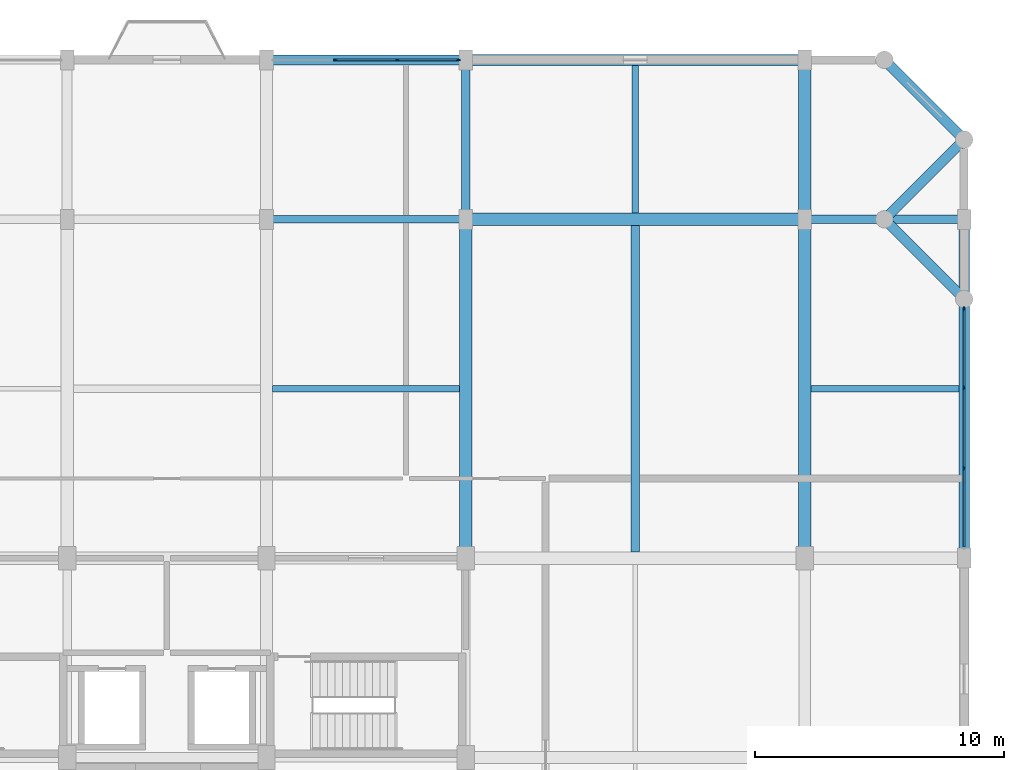
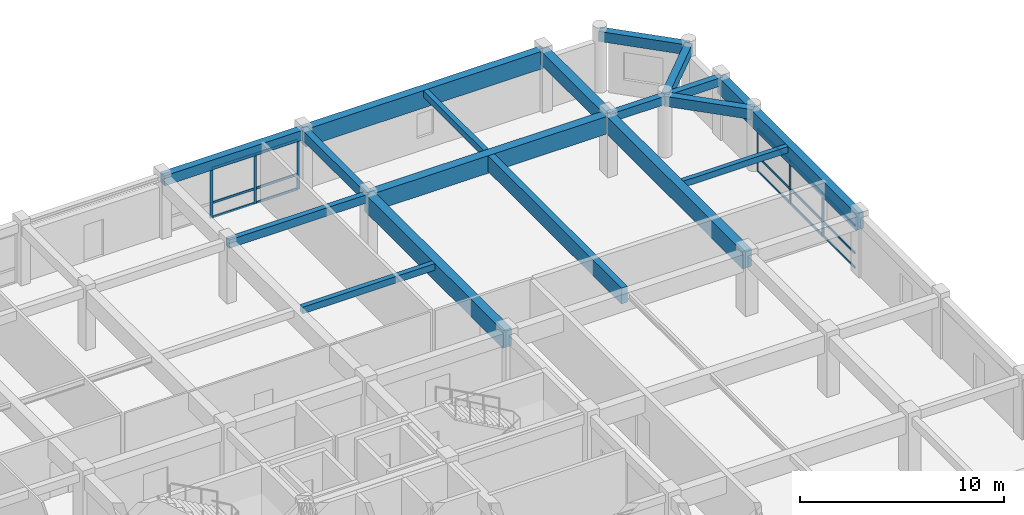
# One storey, part 9 of 15: 21 members, 17 beams, 2 elements without a shape of their own.
"""IFC4 building model written with IfcOpenShell, lengths in metres."""

from ifc_helpers import new_model, si_unit, direction, frame, origin, origin_2d, place, context, subcontext, project, spatial, rectangle, extrude, material, material_profile, profile_set, type_object, element, aggregate, save


model = new_model("IFC4")

# Units and contexts
model_context = context("Model", 3, precision=1e-05, world=origin(), true_north=direction((0.0, 1.0)))
body_context = subcontext(model_context, "Body", "Model", "MODEL_VIEW")
ifc_project = project(units=[si_unit("LENGTHUNIT", "METRE"), si_unit("AREAUNIT", "SQUARE_METRE"), si_unit("VOLUMEUNIT", "CUBIC_METRE"), si_unit("PLANEANGLEUNIT", "RADIAN"), si_unit("MASSUNIT", "GRAM", prefix="KILO")], contexts=[model_context])

# Site, building, storey
site_placement = place(None, origin())
site = spatial("IfcSite", under=ifc_project, at=site_placement, CompositionType="ELEMENT")
building_placement = place(site_placement, origin())
building = spatial("IfcBuilding", under=site, at=building_placement, Name="Vellmiral Cinema and Media Centre", CompositionType="ELEMENT")
storey_placement = place(building_placement, frame((0.0, 0.0, 35.60009765625)))
storey = spatial("IfcBuildingStorey", under=building, at=storey_placement, Name="L08", CompositionType="ELEMENT", Elevation=35.60009765625)

# Beams
ifc_material_1 = material(Name="Concrete C40/50", Category="concrete")
ifc_material_profile_1 = material_profile(ifc_material_1, rectangle(XDim=0.300048828125, YDim=0.5, at=origin_2d()), Name="RC 300x500")
ifc_profile_set_1 = profile_set([ifc_material_profile_1], Name="Concrete C40/50")
beam_type_1 = type_object("IfcBeamType", Name="BM-RC-300x500", PredefinedType="BEAM", material=ifc_profile_set_1)
beam_1_placement = place(storey_placement, frame((140.0, 108.800048828125, 3.344970703125), z_axis=(1.0, 0.0, 0.0), x_axis=(0.0, 1.0, 0.0)))
element("IfcBeam", 1, at=beam_1_placement, inside=storey, type_object=beam_type_1, Name="Grid Beam L08-X040", PredefinedType="BEAM", context=body_context, shape_type="SweptSolid", body=[
    extrude(rectangle(XDim=0.300048828125, YDim=0.5, at=origin_2d()), origin(), (0.0, 0.0, 1.0), 8.0),
])
ifc_material_2 = material(Name="Concrete C40/50", Category="concrete")
ifc_material_profile_2 = material_profile(ifc_material_2, rectangle(XDim=0.35009765625, YDim=0.5, at=origin_2d()), Name="RC 350x500")
ifc_profile_set_2 = profile_set([ifc_material_profile_2], Name="Concrete C40/50")
beam_type_2 = type_object("IfcBeamType", Name="BM-RC-350x500", PredefinedType="BEAM", material=ifc_profile_set_2)
beam_2_placement = place(storey_placement, frame((161.60009765625, 108.800048828125, 3.344970703125), z_axis=(1.0, 0.0, 0.0), x_axis=(0.0, 1.0, 0.0)))
element("IfcBeam", 2, at=beam_2_placement, inside=storey, type_object=beam_type_2, Name="Grid Beam L08-X042", PredefinedType="BEAM", context=body_context, shape_type="SweptSolid", body=[
    extrude(rectangle(XDim=0.35009765625, YDim=0.5, at=origin_2d()), origin(), (0.0, 0.0, 1.0), 6.39990234375),
])
ifc_material_3 = material(Name="Concrete C40/50", Category="concrete")
ifc_material_profile_3 = material_profile(ifc_material_3, rectangle(XDim=0.35009765625, YDim=0.60009765625, at=origin_2d()), Name="RC 350x600")
ifc_profile_set_3 = profile_set([ifc_material_profile_3], Name="Concrete C40/50")
beam_type_3 = type_object("IfcBeamType", Name="BM-RC-350x600", PredefinedType="BEAM", material=ifc_profile_set_3)
beam_3_placement = place(storey_placement, frame((148.0, 108.800048828125, 3.294921875), z_axis=(0.0, 1.0, 0.0), x_axis=(-1.0, 0.0, 0.0)))
element("IfcBeam", 3, at=beam_3_placement, inside=storey, type_object=beam_type_3, Name="Grid Beam L08-Y084", PredefinedType="BEAM", context=body_context, shape_type="SweptSolid", body=[
    extrude(rectangle(XDim=0.35009765625, YDim=0.60009765625, at=origin_2d()), origin(), (0.0, 0.0, 1.0), 6.39990234375),
])
ifc_material_4 = material(Name="Concrete C40/50", Category="concrete")
ifc_material_profile_4 = material_profile(ifc_material_4, rectangle(XDim=0.5, YDim=0.800048828125, at=origin_2d()), Name="RC 500x800")
ifc_profile_set_4 = profile_set([ifc_material_profile_4], Name="Concrete C40/50")
beam_type_4 = type_object("IfcBeamType", Name="BM-RC-500x800", PredefinedType="BEAM", material=ifc_profile_set_4)
beam_4_placement = place(storey_placement, frame((161.60009765625, 108.800048828125, 3.19482421875), z_axis=(0.0, 1.0, 0.0), x_axis=(-1.0, 0.0, 0.0)))
element("IfcBeam", 4, at=beam_4_placement, inside=storey, type_object=beam_type_4, Name="Grid Beam L08-Y090", PredefinedType="BEAM", context=body_context, shape_type="SweptSolid", body=[
    extrude(rectangle(XDim=0.5, YDim=0.800048828125, at=origin_2d()), origin(), (0.0, 0.0, 1.0), 6.39990234375),
])
ifc_material_5 = material(Name="Concrete C40/50", Category="concrete")
ifc_material_profile_5 = material_profile(ifc_material_5, rectangle(XDim=0.5, YDim=1.050048828125, at=origin_2d()), Name="RC 500x1050")
ifc_profile_set_5 = profile_set([ifc_material_profile_5], Name="Concrete C40/50")
beam_type_5 = type_object("IfcBeamType", Name="BM-RCG-500x1050", PredefinedType="BEAM", material=ifc_profile_set_5)
for number, where, z_axis, x_axis, name in (
    (5, (148.0, 108.800048828125, 3.06982421875), (1.0, 0.0, 0.0), (0.0, 1.0, 0.0), "Grid Beam L08-X041"),
    (6, (148.0, 95.199951171875, 3.06982421875), (0.0, 1.0, 0.0), (-1.0, 0.0, 0.0), "Grid Beam L08-Y083"),
    (7, (161.60009765625, 95.199951171875, 3.06982421875), (0.0, 1.0, 0.0), (-1.0, 0.0, 0.0), "Grid Beam L08-Y089"),
):
    element("IfcBeam", number, at=place(storey_placement, frame(where, z_axis=z_axis, x_axis=x_axis)), inside=storey, type_object=beam_type_5, Name=name, PredefinedType="BEAM", context=body_context, shape_type="SweptSolid", body=[
        extrude(rectangle(XDim=0.5, YDim=1.050048828125, at=origin_2d()), origin(), (0.0, 0.0, 1.0), 13.60009765625),
    ])

# Curtain wall, members
ifc_material_6 = material(Name="Thermally Broken Aluminium and Triple Glazing", Category="aluminium")
curtain_wall_type = type_object("IfcCurtainWallType", Name="CW-TOWER-LOW-S", PredefinedType="USERDEFINED", material=ifc_material_6)
curtain_wall_1_placement = place(storey_placement, origin())
curtain_wall_1 = element("IfcCurtainWall", 8, at=curtain_wall_1_placement, inside=storey, type_object=curtain_wall_type, Name="Curtain Wall L08-B013", ObjectType="UNITISED CURTAIN WALL", PredefinedType="USERDEFINED")
ifc_material_7 = material(Name="Thermally Broken Anodised Aluminium", Category="aluminium")
ifc_material_profile_6 = material_profile(ifc_material_7, rectangle(XDim=0.06494140625, YDim=0.159912109375, at=origin_2d()), Name="MULL 65x160")
ifc_profile_set_6 = profile_set([ifc_material_profile_6], Name="Thermally Broken Anodised Aluminium")
member_type_1 = type_object("IfcMemberType", Name="CWM-65x160", PredefinedType="MULLION", material=ifc_profile_set_6)
member_1_placement = place(storey_placement, frame((168.0, 98.816650390625, 0.0), z_axis=(0.0, 0.0, 1.0), x_axis=(-1.0, 0.0, 0.0)))
member_1 = element("IfcMember", 9, at=member_1_placement, type_object=member_type_1, Name="CW-06 mullion 2", PredefinedType="MULLION", context=body_context, shape_type="SweptSolid", body=[
    extrude(rectangle(XDim=0.06494140625, YDim=0.159912109375, at=origin_2d()), origin(), (0.0, 0.0, 1.0), 2.5849609375),
])
member_2_placement = place(storey_placement, frame((168.0, 102.033447265625, 0.0), z_axis=(0.0, 0.0, 1.0), x_axis=(-1.0, 0.0, 0.0)))
member_2 = element("IfcMember", 10, at=member_2_placement, type_object=member_type_1, Name="CW-06 mullion 3", PredefinedType="MULLION", context=body_context, shape_type="SweptSolid", body=[
    extrude(rectangle(XDim=0.06494140625, YDim=0.159912109375, at=origin_2d()), origin(), (0.0, 0.0, 1.0), 2.5849609375),
])
member_3_placement = place(storey_placement, frame((168.0, 105.217529296875, 0.0), z_axis=(0.0, 0.0, 1.0), x_axis=(-1.0, 0.0, 0.0)))
member_3 = element("IfcMember", 11, at=member_3_placement, type_object=member_type_1, Name="CW-06 mullion 4", PredefinedType="MULLION", context=body_context, shape_type="SweptSolid", body=[
    extrude(rectangle(XDim=0.06494140625, YDim=0.159912109375, at=origin_2d()), origin(), (0.0, 0.0, 1.0), 2.5849609375),
])

curtain_wall_2_placement = place(storey_placement, origin())
curtain_wall_2 = element("IfcCurtainWall", 12, at=curtain_wall_2_placement, inside=storey, type_object=curtain_wall_type, Name="Curtain Wall L08-B019", ObjectType="UNITISED CURTAIN WALL", PredefinedType="USERDEFINED")
member_4_placement = place(storey_placement, frame((147.6923828125, 115.199951171875, 0.0), z_axis=(0.0, 0.0, 1.0), x_axis=(0.0, -1.0, 0.0)))
member_4 = element("IfcMember", 13, at=member_4_placement, type_object=member_type_1, Name="CW-06 mullion 1", PredefinedType="MULLION", context=body_context, shape_type="SweptSolid", body=[
    extrude(rectangle(XDim=0.06494140625, YDim=0.159912109375, at=origin_2d()), origin(), (0.0, 0.0, 1.0), 2.98486328125),
])
member_5_placement = place(storey_placement, frame((145.24169921875, 115.199951171875, 0.0), z_axis=(0.0, 0.0, 1.0), x_axis=(0.0, -1.0, 0.0)))
member_5 = element("IfcMember", 14, at=member_5_placement, type_object=member_type_1, Name="CW-06 mullion 2", PredefinedType="MULLION", context=body_context, shape_type="SweptSolid", body=[
    extrude(rectangle(XDim=0.06494140625, YDim=0.159912109375, at=origin_2d()), origin(), (0.0, 0.0, 1.0), 2.98486328125),
])
member_6_placement = place(storey_placement, frame((142.75830078125, 115.199951171875, 0.0), z_axis=(0.0, 0.0, 1.0), x_axis=(0.0, -1.0, 0.0)))
member_6 = element("IfcMember", 15, at=member_6_placement, type_object=member_type_1, Name="CW-06 mullion 3", PredefinedType="MULLION", context=body_context, shape_type="SweptSolid", body=[
    extrude(rectangle(XDim=0.06494140625, YDim=0.159912109375, at=origin_2d()), origin(), (0.0, 0.0, 1.0), 2.98486328125),
])

# Member
ifc_material_8 = material(Name="Thermally Broken Anodised Aluminium", Category="aluminium")
ifc_material_profile_7 = material_profile(ifc_material_8, rectangle(XDim=0.06494140625, YDim=0.135009765625, at=origin_2d()), Name="MULL 65x135")
ifc_profile_set_7 = profile_set([ifc_material_profile_7], Name="Thermally Broken Anodised Aluminium")
member_type_2 = type_object("IfcMemberType", Name="CWT-65x135", PredefinedType="USERDEFINED", material=ifc_profile_set_7)
member_7_placement = place(storey_placement, frame((168.0, 95.6650390625, 0.032470703125), z_axis=(0.0, 1.0, 0.0), x_axis=(-1.0, 0.0, 0.0)))
member_7 = element("IfcMember", 16, at=member_7_placement, type_object=member_type_2, Name="CW-06 transom 1.1", ObjectType="TRANSOM", PredefinedType="USERDEFINED", context=body_context, shape_type="SweptSolid", body=[
    extrude(rectangle(XDim=0.06494140625, YDim=0.135009765625, at=origin_2d()), origin(), (0.0, 0.0, 1.0), 3.119140625),
])

member_8_placement = place(storey_placement, frame((168.0, 95.6650390625, 0.89990234375), z_axis=(0.0, 1.0, 0.0), x_axis=(-1.0, 0.0, 0.0)))
member_8 = element("IfcMember", 17, at=member_8_placement, type_object=member_type_2, Name="CW-06 transom 1.2", ObjectType="TRANSOM", PredefinedType="USERDEFINED", context=body_context, shape_type="SweptSolid", body=[
    extrude(rectangle(XDim=0.06494140625, YDim=0.135009765625, at=origin_2d()), origin(), (0.0, 0.0, 1.0), 3.119140625),
])

member_9_placement = place(storey_placement, frame((168.0, 95.6650390625, 2.552490234375), z_axis=(0.0, 1.0, 0.0), x_axis=(-1.0, 0.0, 0.0)))
member_9 = element("IfcMember", 18, at=member_9_placement, type_object=member_type_2, Name="CW-06 transom 1.3", ObjectType="TRANSOM", PredefinedType="USERDEFINED", context=body_context, shape_type="SweptSolid", body=[
    extrude(rectangle(XDim=0.06494140625, YDim=0.135009765625, at=origin_2d()), origin(), (0.0, 0.0, 1.0), 3.119140625),
])

member_10_placement = place(storey_placement, frame((168.0, 98.84912109375, 0.032470703125), z_axis=(0.0, 1.0, 0.0), x_axis=(-1.0, 0.0, 0.0)))
member_10 = element("IfcMember", 19, at=member_10_placement, type_object=member_type_2, Name="CW-06 transom 2.1", ObjectType="TRANSOM", PredefinedType="USERDEFINED", context=body_context, shape_type="SweptSolid", body=[
    extrude(rectangle(XDim=0.06494140625, YDim=0.135009765625, at=origin_2d()), origin(), (0.0, 0.0, 1.0), 3.151611328125),
])

member_11_placement = place(storey_placement, frame((168.0, 98.84912109375, 0.89990234375), z_axis=(0.0, 1.0, 0.0), x_axis=(-1.0, 0.0, 0.0)))
member_11 = element("IfcMember", 20, at=member_11_placement, type_object=member_type_2, Name="CW-06 transom 2.2", ObjectType="TRANSOM", PredefinedType="USERDEFINED", context=body_context, shape_type="SweptSolid", body=[
    extrude(rectangle(XDim=0.06494140625, YDim=0.135009765625, at=origin_2d()), origin(), (0.0, 0.0, 1.0), 3.151611328125),
])

member_12_placement = place(storey_placement, frame((168.0, 98.84912109375, 2.552490234375), z_axis=(0.0, 1.0, 0.0), x_axis=(-1.0, 0.0, 0.0)))
member_12 = element("IfcMember", 21, at=member_12_placement, type_object=member_type_2, Name="CW-06 transom 2.3", ObjectType="TRANSOM", PredefinedType="USERDEFINED", context=body_context, shape_type="SweptSolid", body=[
    extrude(rectangle(XDim=0.06494140625, YDim=0.135009765625, at=origin_2d()), origin(), (0.0, 0.0, 1.0), 3.151611328125),
])

member_13_placement = place(storey_placement, frame((168.0, 102.06591796875, 0.032470703125), z_axis=(0.0, 1.0, 0.0), x_axis=(-1.0, 0.0, 0.0)))
member_13 = element("IfcMember", 22, at=member_13_placement, type_object=member_type_2, Name="CW-06 transom 3.1", ObjectType="TRANSOM", PredefinedType="USERDEFINED", context=body_context, shape_type="SweptSolid", body=[
    extrude(rectangle(XDim=0.06494140625, YDim=0.135009765625, at=origin_2d()), origin(), (0.0, 0.0, 1.0), 3.119140625),
])

member_14_placement = place(storey_placement, frame((168.0, 102.06591796875, 0.89990234375), z_axis=(0.0, 1.0, 0.0), x_axis=(-1.0, 0.0, 0.0)))
member_14 = element("IfcMember", 23, at=member_14_placement, type_object=member_type_2, Name="CW-06 transom 3.2", ObjectType="TRANSOM", PredefinedType="USERDEFINED", context=body_context, shape_type="SweptSolid", body=[
    extrude(rectangle(XDim=0.06494140625, YDim=0.135009765625, at=origin_2d()), origin(), (0.0, 0.0, 1.0), 3.119140625),
])

member_15_placement = place(storey_placement, frame((168.0, 102.06591796875, 2.552490234375), z_axis=(0.0, 1.0, 0.0), x_axis=(-1.0, 0.0, 0.0)))
member_15 = element("IfcMember", 24, at=member_15_placement, type_object=member_type_2, Name="CW-06 transom 3.3", ObjectType="TRANSOM", PredefinedType="USERDEFINED", context=body_context, shape_type="SweptSolid", body=[
    extrude(rectangle(XDim=0.06494140625, YDim=0.135009765625, at=origin_2d()), origin(), (0.0, 0.0, 1.0), 3.119140625),
])

aggregate(curtain_wall_1, [member_1, member_2, member_3, member_7, member_8, member_9, member_10, member_11, member_12, member_13, member_14, member_15])

member_16_placement = place(storey_placement, frame((147.659912109375, 115.199951171875, 0.032470703125), z_axis=(-1.0, 0.0, 0.0), x_axis=(0.0, -1.0, 0.0)))
member_16 = element("IfcMember", 25, at=member_16_placement, type_object=member_type_2, Name="CW-06 transom 1.1", ObjectType="TRANSOM", PredefinedType="USERDEFINED", context=body_context, shape_type="SweptSolid", body=[
    extrude(rectangle(XDim=0.06494140625, YDim=0.135009765625, at=origin_2d()), origin(), (0.0, 0.0, 1.0), 2.3857421875),
])

member_17_placement = place(storey_placement, frame((147.659912109375, 115.199951171875, 0.89990234375), z_axis=(-1.0, 0.0, 0.0), x_axis=(0.0, -1.0, 0.0)))
member_17 = element("IfcMember", 26, at=member_17_placement, type_object=member_type_2, Name="CW-06 transom 1.2", ObjectType="TRANSOM", PredefinedType="USERDEFINED", context=body_context, shape_type="SweptSolid", body=[
    extrude(rectangle(XDim=0.06494140625, YDim=0.135009765625, at=origin_2d()), origin(), (0.0, 0.0, 1.0), 2.3857421875),
])

member_18_placement = place(storey_placement, frame((147.659912109375, 115.199951171875, 2.952392578125), z_axis=(-1.0, 0.0, 0.0), x_axis=(0.0, -1.0, 0.0)))
member_18 = element("IfcMember", 27, at=member_18_placement, type_object=member_type_2, Name="CW-06 transom 1.3", ObjectType="TRANSOM", PredefinedType="USERDEFINED", context=body_context, shape_type="SweptSolid", body=[
    extrude(rectangle(XDim=0.06494140625, YDim=0.135009765625, at=origin_2d()), origin(), (0.0, 0.0, 1.0), 2.3857421875),
])

member_19_placement = place(storey_placement, frame((145.209228515625, 115.199951171875, 0.032470703125), z_axis=(-1.0, 0.0, 0.0), x_axis=(0.0, -1.0, 0.0)))
member_19 = element("IfcMember", 28, at=member_19_placement, type_object=member_type_2, Name="CW-06 transom 2.1", ObjectType="TRANSOM", PredefinedType="USERDEFINED", context=body_context, shape_type="SweptSolid", body=[
    extrude(rectangle(XDim=0.06494140625, YDim=0.135009765625, at=origin_2d()), origin(), (0.0, 0.0, 1.0), 2.41845703125),
])

member_20_placement = place(storey_placement, frame((145.209228515625, 115.199951171875, 0.89990234375), z_axis=(-1.0, 0.0, 0.0), x_axis=(0.0, -1.0, 0.0)))
member_20 = element("IfcMember", 29, at=member_20_placement, type_object=member_type_2, Name="CW-06 transom 2.2", ObjectType="TRANSOM", PredefinedType="USERDEFINED", context=body_context, shape_type="SweptSolid", body=[
    extrude(rectangle(XDim=0.06494140625, YDim=0.135009765625, at=origin_2d()), origin(), (0.0, 0.0, 1.0), 2.41845703125),
])

member_21_placement = place(storey_placement, frame((145.209228515625, 115.199951171875, 2.952392578125), z_axis=(-1.0, 0.0, 0.0), x_axis=(0.0, -1.0, 0.0)))
member_21 = element("IfcMember", 30, at=member_21_placement, type_object=member_type_2, Name="CW-06 transom 2.3", ObjectType="TRANSOM", PredefinedType="USERDEFINED", context=body_context, shape_type="SweptSolid", body=[
    extrude(rectangle(XDim=0.06494140625, YDim=0.135009765625, at=origin_2d()), origin(), (0.0, 0.0, 1.0), 2.41845703125),
])

aggregate(curtain_wall_2, [member_4, member_5, member_6, member_16, member_17, member_18, member_19, member_20, member_21])

# Beams
ifc_material_9 = material(Name="Concrete C40/50", Category="concrete")
ifc_material_profile_8 = material_profile(ifc_material_9, rectangle(XDim=0.260009765625, YDim=0.3798828125, at=origin_2d()), Name="RC 260x380")
ifc_profile_set_8 = profile_set([ifc_material_profile_8], Name="Concrete C40/50")
beam_type_6 = type_object("IfcBeamType", Name="JST-RC-260x380", PredefinedType="JOIST", material=ifc_profile_set_8)
beam_5_placement = place(storey_placement, frame((161.85009765625, 102.0, 3.40478515625), z_axis=(1.0, 0.0, 0.0), x_axis=(0.0, 1.0, 0.0)))
element("IfcBeam", 31, at=beam_5_placement, inside=storey, type_object=beam_type_6, Name="Secondary Floor Joist L08-012", PredefinedType="JOIST", context=body_context, shape_type="SweptSolid", body=[
    extrude(rectangle(XDim=0.260009765625, YDim=0.3798828125, at=origin_2d()), origin(), (0.0, 0.0, 1.0), 5.93994140625),
])
ifc_material_10 = material(Name="Concrete C40/50", Category="concrete")
ifc_material_profile_9 = material_profile(ifc_material_10, rectangle(XDim=0.280029296875, YDim=0.39990234375, at=origin_2d()), Name="RC 280x400")
ifc_profile_set_9 = profile_set([ifc_material_profile_9], Name="Concrete C40/50")
beam_type_7 = type_object("IfcBeamType", Name="JST-RC-280x400", PredefinedType="JOIST", material=ifc_profile_set_9)
beam_6_placement = place(storey_placement, frame((140.25, 102.0, 3.39501953125), z_axis=(1.0, 0.0, 0.0), x_axis=(0.0, 1.0, 0.0)))
element("IfcBeam", 32, at=beam_6_placement, inside=storey, type_object=beam_type_7, Name="Secondary Floor Joist L08-005", PredefinedType="JOIST", context=body_context, shape_type="SweptSolid", body=[
    extrude(rectangle(XDim=0.280029296875, YDim=0.39990234375, at=origin_2d()), origin(), (0.0, 0.0, 1.0), 7.5),
])
beam_7_placement = place(storey_placement, frame((154.800048828125, 109.050048828125, 3.39501953125), z_axis=(0.0, 1.0, 0.0), x_axis=(-1.0, 0.0, 0.0)))
element("IfcBeam", 33, at=beam_7_placement, inside=storey, type_object=beam_type_7, Name="Secondary Floor Joist L08-011", PredefinedType="JOIST", context=body_context, shape_type="SweptSolid", body=[
    extrude(rectangle(XDim=0.280029296875, YDim=0.39990234375, at=origin_2d()), origin(), (0.0, 0.0, 1.0), 5.925048828125),
])
ifc_material_11 = material(Name="Concrete C40/50", Category="concrete")
ifc_material_profile_10 = material_profile(ifc_material_11, rectangle(XDim=0.35009765625, YDim=0.949951171875, at=origin_2d()), Name="RC 350x950")
ifc_profile_set_10 = profile_set([ifc_material_profile_10], Name="Concrete C40/50")
beam_type_8 = type_object("IfcBeamType", Name="JST-RCG-350x950", PredefinedType="JOIST", material=ifc_profile_set_10)
beam_8_placement = place(storey_placement, frame((154.800048828125, 95.449951171875, 3.119873046875), z_axis=(0.0, 1.0, 0.0), x_axis=(-1.0, 0.0, 0.0)))
element("IfcBeam", 34, at=beam_8_placement, inside=storey, type_object=beam_type_8, Name="Secondary Floor Joist L08-010", PredefinedType="JOIST", context=body_context, shape_type="SweptSolid", body=[
    extrude(rectangle(XDim=0.35009765625, YDim=0.949951171875, at=origin_2d()), origin(), (0.0, 0.0, 1.0), 13.10009765625),
])
ifc_material_12 = material(Name="Concrete C40/50", Category="concrete")
ifc_material_profile_11 = material_profile(ifc_material_12, rectangle(XDim=0.39990234375, YDim=0.60009765625, at=origin_2d()), Name="RC 400x600")
ifc_profile_set_11 = profile_set([ifc_material_profile_11], Name="Concrete C40/50")
beam_type_9 = type_object("IfcBeamType", Name="SPD-RC-400x600", PredefinedType="SPANDREL", material=ifc_profile_set_11)
beam_9_placement = place(storey_placement, frame((140.0, 115.199951171875, 3.294921875), z_axis=(1.0, 0.0, 0.0), x_axis=(0.0, 1.0, 0.0)))
element("IfcBeam", 35, at=beam_9_placement, inside=storey, type_object=beam_type_9, Name="Grid Beam L08-X047", PredefinedType="SPANDREL", context=body_context, shape_type="SweptSolid", body=[
    extrude(rectangle(XDim=0.39990234375, YDim=0.60009765625, at=origin_2d()), origin(), (0.0, 0.0, 1.0), 8.0),
])
for number, where, z_axis, x_axis, name in (
    (36, (164.800048828125, 108.800048828125, 3.294921875), (0.707106781187, -0.707106781187, 0.0), (0.707106781187, 0.707106781187, 0.0), "Xamfra Chamfer Spandrel Beam L08-099"),
    (37, (164.800048828125, 108.800048828125, 3.294921875), (0.707106781187, 0.707106781187, 0.0), (-0.707106781187, 0.707106781187, 0.0), "Xamfra Chamfer Spandrel Beam L08-100"),
    (38, (164.800048828125, 115.199951171875, 3.294921875), (0.707106781187, -0.707106781187, 0.0), (0.707106781187, 0.707106781187, 0.0), "Xamfra Chamfer Spandrel Beam L08-101"),
):
    element("IfcBeam", number, at=place(storey_placement, frame(where, z_axis=z_axis, x_axis=x_axis)), inside=storey, type_object=beam_type_9, Name=name, PredefinedType="SPANDREL", context=body_context, shape_type="SweptSolid", body=[
        extrude(rectangle(XDim=0.39990234375, YDim=0.60009765625, at=origin_2d()), origin(), (0.0, 0.0, 1.0), 4.525390625),
    ])
ifc_material_13 = material(Name="Concrete C40/50", Category="concrete")
ifc_material_profile_12 = material_profile(ifc_material_13, rectangle(XDim=0.449951171875, YDim=1.050048828125, at=origin_2d()), Name="RC 450x1050")
ifc_profile_set_12 = profile_set([ifc_material_profile_12], Name="Concrete C40/50")
beam_type_10 = type_object("IfcBeamType", Name="SPD-RCG-450x1050", PredefinedType="SPANDREL", material=ifc_profile_set_12)
beam_10_placement = place(storey_placement, frame((148.0, 115.199951171875, 3.06982421875), z_axis=(1.0, 0.0, 0.0), x_axis=(0.0, 1.0, 0.0)))
element("IfcBeam", 39, at=beam_10_placement, inside=storey, type_object=beam_type_10, Name="Grid Beam L08-X048", PredefinedType="SPANDREL", context=body_context, shape_type="SweptSolid", body=[
    extrude(rectangle(XDim=0.449951171875, YDim=1.050048828125, at=origin_2d()), origin(), (0.0, 0.0, 1.0), 13.60009765625),
])
ifc_material_14 = material(Name="Vosges Red Sandstone Masonry", Category="masonry")
ifc_material_profile_13 = material_profile(ifc_material_14, rectangle(XDim=0.419921875, YDim=1.0, at=origin_2d()), Name="SAND 420x1000")
ifc_profile_set_13 = profile_set([ifc_material_profile_13], Name="Vosges Red Sandstone Masonry")
beam_type_11 = type_object("IfcBeamType", Name="SPD-SANDG-420x1000", PredefinedType="SPANDREL", material=ifc_profile_set_13)
beam_11_placement = place(storey_placement, frame((168.0, 95.199951171875, 3.094970703125), z_axis=(0.0, 1.0, 0.0), x_axis=(-1.0, 0.0, 0.0)))
element("IfcBeam", 40, at=beam_11_placement, inside=storey, type_object=beam_type_11, Name="Grid Beam L08-Y095", PredefinedType="SPANDREL", context=body_context, shape_type="SweptSolid", body=[
    extrude(rectangle(XDim=0.419921875, YDim=1.0, at=origin_2d()), origin(), (0.0, 0.0, 1.0), 13.60009765625),
])

save(model, "model.ifc")
